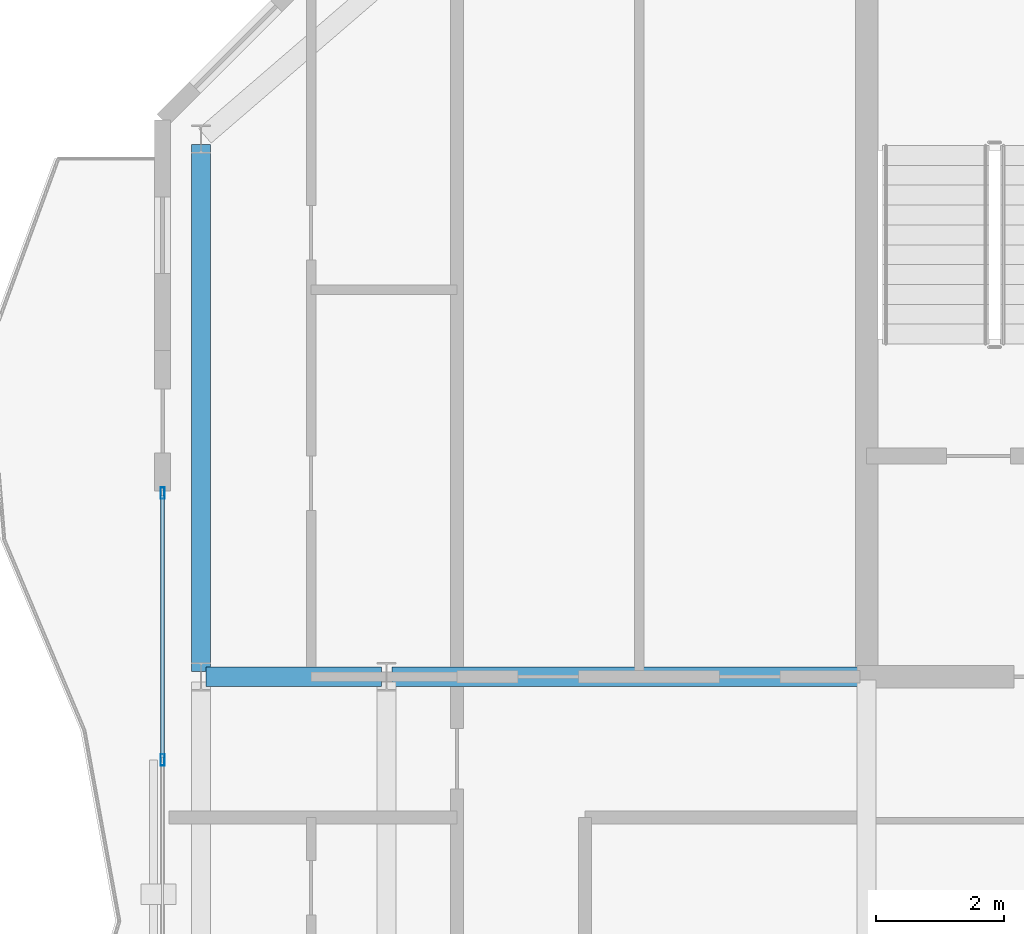
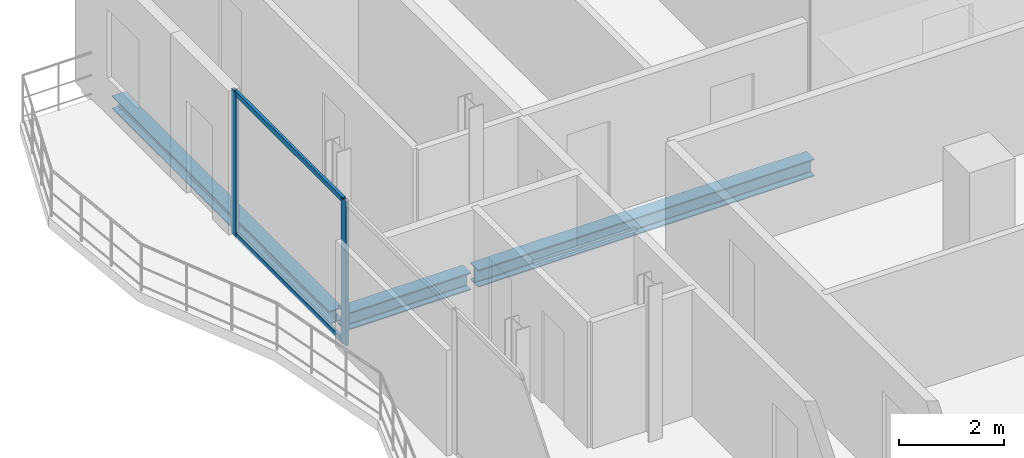
# One storey, part 9 of 23: 4 members, 3 beams, 1 element without a shape of its own.
"""IFC4 building model written with IfcOpenShell, lengths in metres."""

from ifc_helpers import new_model, si_unit, direction, frame, origin, origin_2d, place, context, subcontext, project, spatial, hollow_rectangle, i_section, extrude, material, layer, layer_set, material_profile, profile_set, type_object, element, aggregate, save


model = new_model("IFC4")

# Units and contexts
model_context = context("Model", 3, precision=1e-05, world=origin(), true_north=direction((0.0, 1.0)))
body_context = subcontext(model_context, "Body", "Model", "MODEL_VIEW")
ifc_project = project(units=[si_unit("LENGTHUNIT", "METRE"), si_unit("AREAUNIT", "SQUARE_METRE"), si_unit("VOLUMEUNIT", "CUBIC_METRE"), si_unit("PLANEANGLEUNIT", "RADIAN"), si_unit("MASSUNIT", "GRAM", prefix="KILO")], contexts=[model_context])

# Site, building, storey
site_placement = place(None, origin())
site = spatial("IfcSite", under=ifc_project, at=site_placement, CompositionType="ELEMENT")
building_placement = place(site_placement, origin())
building = spatial("IfcBuilding", under=site, at=building_placement, Name="Catumbela Crestline Tower", CompositionType="ELEMENT")
storey_placement = place(building_placement, frame((0.0, 0.0, 193.8)))
storey = spatial("IfcBuildingStorey", under=building, at=storey_placement, Name="L50", CompositionType="ELEMENT", Elevation=193.8)

# Beams
ifc_material_1 = material(Name="Structural steel S355J2", Category="steel")
ifc_material_profile_1 = material_profile(ifc_material_1, i_section(OverallWidth=0.3, OverallDepth=0.4, WebThickness=0.0135, FlangeThickness=0.024, FilletRadius=0.027, at=origin_2d()), Name="HEB 400")
ifc_profile_set_1 = profile_set([ifc_material_profile_1], Name="Structural steel S355J2")
beam_type_1 = type_object("IfcBeamType", Name="BG-HEB400", PredefinedType="BEAM", material=ifc_profile_set_1)
beam_1_placement = place(storey_placement, frame((5.68, 30.8, -0.46), z_axis=(1.0, 0.0, 0.0), x_axis=(0.0, 1.0, 0.0)))
element("IfcBeam", 1, at=beam_1_placement, inside=storey, type_object=beam_type_1, Name="L50 Beam BM-L50-M06", PredefinedType="BEAM", context=body_context, shape_type="SweptSolid", body=[
    extrude(i_section(OverallWidth=0.3, OverallDepth=0.4, WebThickness=0.0135, FlangeThickness=0.024, FilletRadius=0.027, at=origin_2d()), origin(), (0.0, 0.0, 1.0), 2.74),
])
beam_2_placement = place(storey_placement, frame((8.58, 30.8, -0.46), z_axis=(1.0, 0.0, 0.0), x_axis=(0.0, 1.0, 0.0)))
element("IfcBeam", 2, at=beam_2_placement, inside=storey, type_object=beam_type_1, Name="L50 Beam BM-L50-M07", PredefinedType="BEAM", context=body_context, shape_type="SweptSolid", body=[
    extrude(i_section(OverallWidth=0.3, OverallDepth=0.4, WebThickness=0.0135, FlangeThickness=0.024, FilletRadius=0.027, at=origin_2d()), origin(), (0.0, 0.0, 1.0), 7.37),
])

# Curtain wall, members
ifc_material_2 = material(Name="Aluminium alloy AW-6060-T66", Category="aluminium")
ifc_layer = layer(ifc_material_2, 0.18, Name="Aluminium alloy AW-6060-T66")
ifc_layer_set = layer_set([ifc_layer], Name="Aluminium alloy AW-6060-T66")
curtain_wall_type = type_object("IfcCurtainWallType", Name="CWU-Z3", PredefinedType="USERDEFINED", material=ifc_layer_set)
curtain_wall_placement = place(storey_placement, origin())
curtain_wall = element("IfcCurtainWall", 3, at=curtain_wall_placement, inside=storey, type_object=curtain_wall_type, Name="L50 Unitised Curtain Wall CW-L50-E9S2", ObjectType="UNITISED", PredefinedType="USERDEFINED")
ifc_material_profile_2 = material_profile(ifc_material_2, hollow_rectangle(XDim=0.065, YDim=0.18, WallThickness=0.004, at=origin_2d()), Name="ALU 180x65x4")
ifc_profile_set_2 = profile_set([ifc_material_profile_2], Name="Aluminium alloy AW-6060-T66")
member_type_1 = type_object("IfcMemberType", Name="MUL-180X65", PredefinedType="MULLION", material=ifc_profile_set_2)
member_1_placement = place(storey_placement, frame((5.0, 33.6675, 0.0), z_axis=(0.0, 0.0, 1.0), x_axis=(1.0, 0.0, 0.0)))
member_1 = element("IfcMember", 4, at=member_1_placement, type_object=member_type_1, Name="CWU-Z3 mullion 1", PredefinedType="MULLION", context=body_context, shape_type="SweptSolid", body=[
    extrude(hollow_rectangle(XDim=0.065, YDim=0.18, WallThickness=0.004, at=origin_2d()), origin(), (0.0, 0.0, 1.0), 3.33),
])
member_2_placement = place(storey_placement, frame((5.0, 29.5, 0.0), z_axis=(0.0, 0.0, 1.0), x_axis=(1.0, 0.0, 0.0)))
member_2 = element("IfcMember", 5, at=member_2_placement, type_object=member_type_1, Name="CWU-Z3 mullion 2", PredefinedType="MULLION", context=body_context, shape_type="SweptSolid", body=[
    extrude(hollow_rectangle(XDim=0.065, YDim=0.18, WallThickness=0.004, at=origin_2d()), origin(), (0.0, 0.0, 1.0), 3.33),
])

# Beam
ifc_material_profile_3 = material_profile(ifc_material_1, i_section(OverallWidth=0.3, OverallDepth=0.3, WebThickness=0.011, FlangeThickness=0.019, FilletRadius=0.027, at=origin_2d()), Name="HEB 300")
ifc_profile_set_3 = profile_set([ifc_material_profile_3], Name="Structural steel S355J2")
beam_type_2 = type_object("IfcBeamType", Name="BS-HEB300", PredefinedType="SPANDREL", material=ifc_profile_set_3)
beam_3_placement = place(storey_placement, frame((5.6, 30.88, -0.41), z_axis=(0.0, 1.0, 0.0), x_axis=(-1.0, 0.0, 0.0)))
element("IfcBeam", 6, at=beam_3_placement, inside=storey, type_object=beam_type_2, Name="L50 Spandrel SP-L50-SN15", PredefinedType="SPANDREL", context=body_context, shape_type="SweptSolid", body=[
    extrude(i_section(OverallWidth=0.3, OverallDepth=0.3, WebThickness=0.011, FlangeThickness=0.019, FilletRadius=0.027, at=origin_2d()), origin(), (0.0, 0.0, 1.0), 8.24),
])

# Member
ifc_material_profile_4 = material_profile(ifc_material_2, hollow_rectangle(XDim=0.06, YDim=0.12, WallThickness=0.0035, at=origin_2d()), Name="ALU 120x60x3.5")
ifc_profile_set_4 = profile_set([ifc_material_profile_4], Name="Aluminium alloy AW-6060-T66")
member_type_2 = type_object("IfcMemberType", Name="TRN-120X60", PredefinedType="USERDEFINED", material=ifc_profile_set_4)
member_3_placement = place(storey_placement, frame((5.0, 33.635, 0.03), z_axis=(0.0, -1.0, 0.0), x_axis=(1.0, 0.0, 0.0)))
member_3 = element("IfcMember", 7, at=member_3_placement, type_object=member_type_2, Name="CWU-Z3 transom 1.1", ObjectType="TRANSOM", PredefinedType="USERDEFINED", context=body_context, shape_type="SweptSolid", body=[
    extrude(hollow_rectangle(XDim=0.06, YDim=0.12, WallThickness=0.0035, at=origin_2d()), origin(), (0.0, 0.0, 1.0), 4.1025),
])

member_4_placement = place(storey_placement, frame((5.0, 33.635, 3.3), z_axis=(0.0, -1.0, 0.0), x_axis=(1.0, 0.0, 0.0)))
member_4 = element("IfcMember", 8, at=member_4_placement, type_object=member_type_2, Name="CWU-Z3 transom 1.2", ObjectType="TRANSOM", PredefinedType="USERDEFINED", context=body_context, shape_type="SweptSolid", body=[
    extrude(hollow_rectangle(XDim=0.06, YDim=0.12, WallThickness=0.0035, at=origin_2d()), origin(), (0.0, 0.0, 1.0), 4.1025),
])

aggregate(curtain_wall, [member_1, member_2, member_3, member_4])

save(model, "model.ifc")
